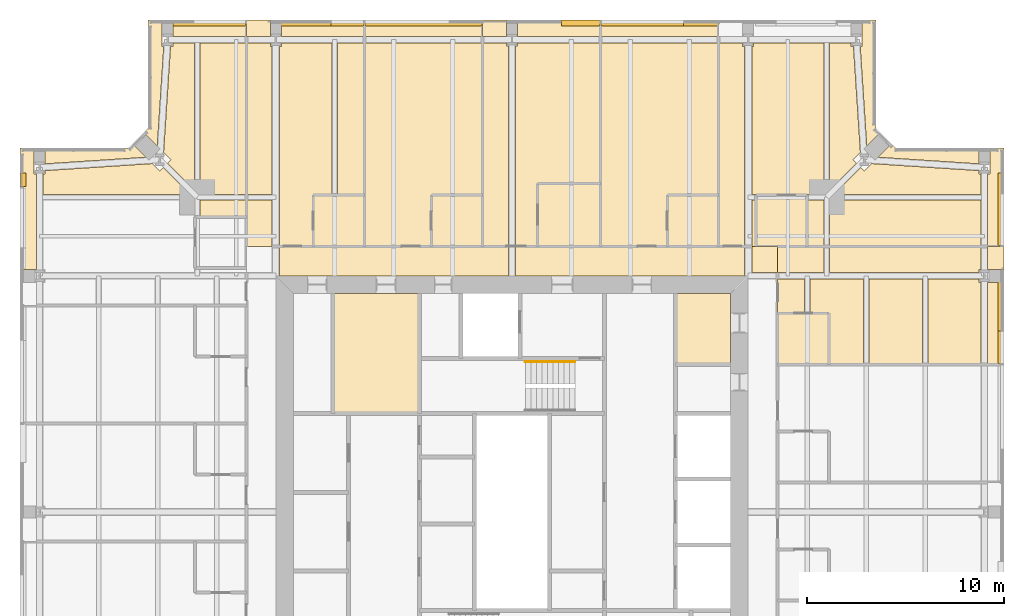
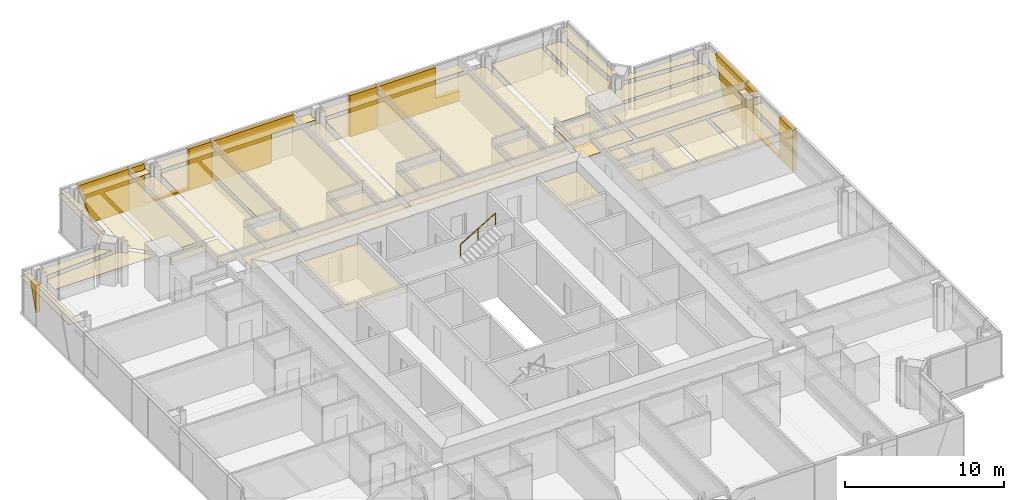
# One storey, part 19 of 20: 59 coverings, 1 railing.
"""IFC4 building model written with IfcOpenShell, lengths in metres."""

from ifc_helpers import new_model, si_unit, direction, frame, origin, origin_2d, place, context, subcontext, project, spatial, polyline, circle, outline, extrude, material, layer, layer_set, type_object, element, save


model = new_model("IFC4")

# Units and contexts
model_context = context("Model", 3, precision=1e-05, world=origin(), true_north=direction((0.0, 1.0)))
body_context = subcontext(model_context, "Body", "Model", "MODEL_VIEW")
ifc_project = project(units=[si_unit("LENGTHUNIT", "METRE"), si_unit("AREAUNIT", "SQUARE_METRE"), si_unit("VOLUMEUNIT", "CUBIC_METRE"), si_unit("PLANEANGLEUNIT", "RADIAN"), si_unit("MASSUNIT", "GRAM", prefix="KILO")], contexts=[model_context])

# Site, building, storey
site_placement = place(None, origin())
site = spatial("IfcSite", under=ifc_project, at=site_placement, CompositionType="ELEMENT")
building_placement = place(site_placement, origin())
building = spatial("IfcBuilding", under=site, at=building_placement, Name="Fenwick Lantern Interchange", CompositionType="ELEMENT")
storey_placement = place(building_placement, frame((0.0, 0.0, 245.800048828125)))
storey = spatial("IfcBuildingStorey", under=building, at=storey_placement, Name="L57", CompositionType="ELEMENT", Elevation=245.800048828125)

# Coverings
ifc_material_1 = material(Name="Granite cladding, warm grey flamed finish, on aluminium carrier frame", Category="masonry")
ifc_layer_1 = layer(ifc_material_1, 0.300048828125)
ifc_layer_set_1 = layer_set([ifc_layer_1], Name="BRACE CASING PANEL 300")
covering_type_1 = type_object("IfcCoveringType", Name="BRACE CASING PANEL 300", PredefinedType="CLADDING", material=ifc_layer_set_1)
covering_1_placement = place(storey_placement, frame((49.89990234375, 6.60009765625, 0.0), z_axis=(0.0, 0.0, 1.0), x_axis=(0.0, 1.0, 0.0)))
element("IfcCovering", 1, at=covering_1_placement, inside=storey, type_object=covering_type_1, Name="Brace casing 05 bay 05a", PredefinedType="CLADDING", context=body_context, shape_type="SweptSolid", body=[
    extrude(outline(polyline([(25.929931640625, 0.0), (31.8701171875, 0.0), (31.8701171875, 3.14990234375), (30.81494140625, 3.14990234375), (30.81494140625, 0.15966796875), (27.5849609375, 0.15966796875), (27.5849609375, 3.14990234375), (25.929931640625, 3.14990234375), (25.929931640625, 0.0)])), frame((0.0, 0.2099609375, 0.0), z_axis=(0.0, -1.0, 0.0), x_axis=(1.0, 0.0, 0.0)), (0.0, 0.0, 1.0), 0.300048828125),
])
covering_2_placement = place(storey_placement, frame((49.89990234375, 6.60009765625, 0.0), z_axis=(0.0, 0.0, 1.0), x_axis=(0.0, 1.0, 0.0)))
element("IfcCovering", 2, at=covering_2_placement, inside=storey, type_object=covering_type_1, Name="Brace casing 05 bay 06a", PredefinedType="CLADDING", context=body_context, shape_type="SweptSolid", body=[
    extrude(outline(polyline([(31.929931640625, 0.0), (34.560791015625, 0.0), (35.624267578125, 3.14990234375), (31.929931640625, 3.14990234375), (31.929931640625, 0.0)])), frame((0.0, 0.2099609375, 0.0), z_axis=(0.0, -1.0, 0.0), x_axis=(1.0, 0.0, 0.0)), (0.0, 0.0, 1.0), 0.300048828125),
])
covering_3_placement = place(storey_placement, frame((43.39990234375, 49.89990234375, 0.0), z_axis=(0.0, 0.0, 1.0), x_axis=(-1.0, 0.0, 0.0)))
element("IfcCovering", 3, at=covering_3_placement, inside=storey, type_object=covering_type_1, Name="Brace casing 09 bay 02a", PredefinedType="CLADDING", context=body_context, shape_type="SweptSolid", body=[
    extrude(outline(polyline([(7.929931640625, 0.0), (13.8701171875, 0.0), (13.8701171875, 3.14990234375), (9.675048828125, 3.14990234375), (9.675048828125, 0.7841796875), (7.929931640625, 0.7841796875), (7.929931640625, 0.0)])), frame((0.0, 0.2099609375, 0.0), z_axis=(0.0, -1.0, 0.0), x_axis=(1.0, 0.0, 0.0)), (0.0, 0.0, 1.0), 0.300048828125),
])
covering_4_placement = place(storey_placement, frame((43.39990234375, 49.89990234375, 0.0), z_axis=(0.0, 0.0, 1.0), x_axis=(-1.0, 0.0, 0.0)))
element("IfcCovering", 4, at=covering_4_placement, inside=storey, type_object=covering_type_1, Name="Brace casing 09 bay 03a", PredefinedType="CLADDING", context=body_context, shape_type="SweptSolid", body=[
    extrude(outline(polyline([(13.929931640625, 0.0), (15.889892578125, 0.0), (15.889892578125, 3.14990234375), (13.929931640625, 3.14990234375), (13.929931640625, 0.0)])), frame((0.0, 0.2099609375, 0.0), z_axis=(0.0, -1.0, 0.0), x_axis=(1.0, 0.0, 0.0)), (0.0, 0.0, 1.0), 0.300048828125),
])
covering_5_placement = place(storey_placement, frame((43.39990234375, 49.89990234375, 0.0), z_axis=(0.0, 0.0, 1.0), x_axis=(-1.0, 0.0, 0.0)))
element("IfcCovering", 5, at=covering_5_placement, inside=storey, type_object=covering_type_1, Name="Brace casing 09 bay 04a", PredefinedType="CLADDING", context=body_context, shape_type="SweptSolid", body=[
    extrude(outline(polyline([(21.580078125, 0.0), (25.8701171875, 0.0), (25.8701171875, 3.14990234375), (19.929931640625, 3.14990234375), (19.929931640625, 2.24169921875), (21.580078125, 2.24169921875), (21.580078125, 0.0)])), frame((0.0, 0.2099609375, 0.0), z_axis=(0.0, -1.0, 0.0), x_axis=(1.0, 0.0, 0.0)), (0.0, 0.0, 1.0), 0.300048828125),
])
covering_6_placement = place(storey_placement, frame((43.39990234375, 49.89990234375, 0.0), z_axis=(0.0, 0.0, 1.0), x_axis=(-1.0, 0.0, 0.0)))
element("IfcCovering", 6, at=covering_6_placement, inside=storey, type_object=covering_type_1, Name="Brace casing 09 bay 05a", PredefinedType="CLADDING", context=body_context, shape_type="SweptSolid", body=[
    extrude(outline(polyline([(25.929931640625, 0.0), (31.8701171875, 0.0), (31.8701171875, 3.14990234375), (30.81494140625, 3.14990234375), (30.81494140625, 0.15966796875), (27.5849609375, 0.15966796875), (27.5849609375, 3.14990234375), (25.929931640625, 3.14990234375), (25.929931640625, 0.0)])), frame((0.0, 0.2099609375, 0.0), z_axis=(0.0, -1.0, 0.0), x_axis=(1.0, 0.0, 0.0)), (0.0, 0.0, 1.0), 0.300048828125),
])
covering_7_placement = place(storey_placement, frame((43.39990234375, 49.89990234375, 0.0), z_axis=(0.0, 0.0, 1.0), x_axis=(-1.0, 0.0, 0.0)))
element("IfcCovering", 7, at=covering_7_placement, inside=storey, type_object=covering_type_1, Name="Brace casing 09 bay 06a", PredefinedType="CLADDING", context=body_context, shape_type="SweptSolid", body=[
    extrude(outline(polyline([(31.929931640625, 0.0), (34.560791015625, 0.0), (35.624267578125, 3.14990234375), (31.929931640625, 3.14990234375), (31.929931640625, 0.0)])), frame((0.0, 0.2099609375, 0.0), z_axis=(0.0, -1.0, 0.0), x_axis=(1.0, 0.0, 0.0)), (0.0, 0.0, 1.0), 0.300048828125),
])
covering_8_placement = place(storey_placement, frame((0.10009765625, 43.39990234375, 1.093505859375), z_axis=(0.0, 0.0, 1.0), x_axis=(0.0, -1.0, 0.0)))
element("IfcCovering", 8, at=covering_8_placement, inside=storey, type_object=covering_type_1, Name="Brace casing 13 bay 00a", PredefinedType="CLADDING", context=body_context, shape_type="SweptSolid", body=[
    extrude(outline(polyline([(1.8701171875, 0.0), (1.8701171875, 2.056396484375), (1.17578125, 2.056396484375), (1.8701171875, 0.0)])), frame((0.0, 0.2099609375, 0.0), z_axis=(0.0, -1.0, 0.0), x_axis=(1.0, 0.0, 0.0)), (0.0, 0.0, 1.0), 0.300048828125),
])

# Railing
ifc_material_2 = material(Name="Stainless steel handrail", Category="steel")
railing_type = type_object("IfcRailingType", Name="HANDRAIL 900", PredefinedType="HANDRAIL", material=ifc_material_2)
railing_placement = place(storey_placement, frame((25.679931640625, 32.6259765625, 1.869873046875)))
element("IfcRailing", 9, at=railing_placement, inside=storey, type_object=railing_type, Name="L57/STAIR/ST2/HR2", PredefinedType="HANDRAIL", context=body_context, shape_type="SweptSolid", body=[
    extrude(circle(Radius=0.02392578125, at=origin_2d()), frame((0.0, 0.0, 0.8759765625), z_axis=(0.85478489116, 0.0, 0.518982456201), x_axis=(0.0, 1.0, 0.0)), (0.0, 0.0, 1.0), 2.9482421875),
    extrude(circle(Radius=0.02099609375, at=origin_2d()), origin(), (0.0, 0.0, 1.0), 0.851806640625),
    extrude(circle(Radius=0.02099609375, at=origin_2d()), frame((1.260009765625, 0.0, 0.76513671875)), (0.0, 0.0, 1.0), 0.851806640625),
    extrude(circle(Radius=0.02099609375, at=origin_2d()), frame((2.52001953125, 0.0, 1.530029296875)), (0.0, 0.0, 1.0), 0.851806640625),
])

# Coverings
ifc_material_3 = material(Name="Moisture resistant gypsum board on suspended frame, painted")
ifc_layer_2 = layer(ifc_material_3, 0.014892578125)
ifc_layer_set_2 = layer_set([ifc_layer_2], Name="MOISTURE RESISTANT CEILING 15")
covering_type_2 = type_object("IfcCoveringType", Name="MOISTURE RESISTANT CEILING 15", PredefinedType="CEILING", material=ifc_layer_set_2)
covering_9_placement = place(storey_placement, frame((0.0, 0.0, 2.599853515625)))
element("IfcCovering", 10, at=covering_9_placement, inside=storey, type_object=covering_type_2, Name="Women's WC ceiling", PredefinedType="CEILING", context=body_context, shape_type="SweptSolid", body=[
    extrude(outline(polyline([(20.300048828125, 36.10009765625), (15.89990234375, 36.10009765625), (15.89990234375, 30.0), (20.300048828125, 30.0), (20.300048828125, 36.10009765625)])), origin(), (0.0, 0.0, 1.0), 0.01513671875),
])
covering_10_placement = place(storey_placement, frame((0.0, 0.0, 2.599853515625)))
element("IfcCovering", 11, at=covering_10_placement, inside=storey, type_object=covering_type_2, Name="Accessible WC and shower ceiling", PredefinedType="CEILING", context=body_context, shape_type="SweptSolid", body=[
    extrude(outline(polyline([(36.10009765625, 36.10009765625), (33.300048828125, 36.10009765625), (33.300048828125, 32.5), (36.10009765625, 32.5), (36.10009765625, 36.10009765625)])), origin(), (0.0, 0.0, 1.0), 0.01513671875),
])
covering_11_placement = place(storey_placement, frame((0.0, 0.0, 2.39990234375)))
element("IfcCovering", 12, at=covering_11_placement, inside=storey, type_object=covering_type_2, Name="En-suite 5710 ceiling", PredefinedType="CEILING", context=body_context, shape_type="SweptSolid", body=[
    extrude(outline(polyline([(41.10009765625, 32.5), (41.10009765625, 35.10009765625), (38.5, 35.10009765625), (38.5, 32.5), (41.10009765625, 32.5)])), origin(), (0.0, 0.0, 1.0), 0.01513671875),
])
covering_12_placement = place(storey_placement, frame((0.0, 0.0, 2.39990234375)))
element("IfcCovering", 13, at=covering_12_placement, inside=storey, type_object=covering_type_2, Name="En-suite 5711 ceiling", PredefinedType="CEILING", context=body_context, shape_type="SweptSolid", body=[
    extrude(outline(polyline([(40.0, 41.10009765625), (37.39990234375, 41.10009765625), (37.39990234375, 38.5), (40.0, 38.5), (40.0, 41.10009765625)])), origin(), (0.0, 0.0, 1.0), 0.01513671875),
])
covering_13_placement = place(storey_placement, frame((0.0, 0.0, 2.39990234375)))
element("IfcCovering", 14, at=covering_13_placement, inside=storey, type_object=covering_type_2, Name="En-suite 5712 ceiling", PredefinedType="CEILING", context=body_context, shape_type="SweptSolid", body=[
    extrude(outline(polyline([(35.5, 41.10009765625), (32.89990234375, 41.10009765625), (32.89990234375, 38.5), (35.5, 38.5), (35.5, 41.10009765625)])), origin(), (0.0, 0.0, 1.0), 0.01513671875),
])
covering_14_placement = place(storey_placement, frame((0.0, 0.0, 2.39990234375)))
element("IfcCovering", 15, at=covering_14_placement, inside=storey, type_object=covering_type_2, Name="En-suite 5713 ceiling", PredefinedType="CEILING", context=body_context, shape_type="SweptSolid", body=[
    extrude(outline(polyline([(29.5, 41.699951171875), (26.300048828125, 41.699951171875), (26.300048828125, 38.5), (29.5, 38.5), (29.5, 41.699951171875)])), origin(), (0.0, 0.0, 1.0), 0.01513671875),
])
covering_15_placement = place(storey_placement, frame((0.0, 0.0, 2.39990234375)))
element("IfcCovering", 16, at=covering_15_placement, inside=storey, type_object=covering_type_2, Name="En-suite 5714 ceiling", PredefinedType="CEILING", context=body_context, shape_type="SweptSolid", body=[
    extrude(outline(polyline([(23.5, 41.10009765625), (20.89990234375, 41.10009765625), (20.89990234375, 38.5), (23.5, 38.5), (23.5, 41.10009765625)])), origin(), (0.0, 0.0, 1.0), 0.01513671875),
])
covering_16_placement = place(storey_placement, frame((0.0, 0.0, 2.39990234375)))
element("IfcCovering", 17, at=covering_16_placement, inside=storey, type_object=covering_type_2, Name="En-suite 5715 ceiling", PredefinedType="CEILING", context=body_context, shape_type="SweptSolid", body=[
    extrude(outline(polyline([(17.5, 41.10009765625), (14.89990234375, 41.10009765625), (14.89990234375, 38.5), (17.5, 38.5), (17.5, 41.10009765625)])), origin(), (0.0, 0.0, 1.0), 0.01513671875),
])
ifc_material_4 = material(Name="Gypsum plasterboard on suspended frame, painted")
ifc_layer_3 = layer(ifc_material_4, 0.014892578125)
ifc_layer_set_3 = layer_set([ifc_layer_3], Name="PLASTERBOARD CEILING 15")
covering_type_3 = type_object("IfcCoveringType", Name="PLASTERBOARD CEILING 15", PredefinedType="CEILING", material=ifc_layer_set_3)
covering_17_placement = place(storey_placement, frame((0.0, 0.0, 2.57275390625)))
element("IfcCovering", 18, at=covering_17_placement, inside=storey, type_object=covering_type_3, Name="Corridor ceiling", PredefinedType="CEILING", context=body_context, shape_type="SweptSolid", body=[
    extrude(outline(polyline([(24.816162109375, 38.5), (13.183837890625, 38.5), (13.183837890625, 37.0), (24.816162109375, 37.0), (24.816162109375, 38.5)])), origin(), (0.0, 0.0, 1.0), 0.01513671875),
])
covering_18_placement = place(storey_placement, frame((0.0, 0.0, 2.57275390625)))
element("IfcCovering", 19, at=covering_18_placement, inside=storey, type_object=covering_type_3, Name="Corridor ceiling", PredefinedType="CEILING", context=body_context, shape_type="SweptSolid", body=[
    extrude(outline(polyline([(36.816162109375, 38.5), (25.183837890625, 38.5), (25.183837890625, 37.0), (36.816162109375, 37.0), (36.816162109375, 38.5)])), origin(), (0.0, 0.0, 1.0), 0.01513671875),
])
covering_19_placement = place(storey_placement, frame((0.0, 0.0, 2.57275390625)))
element("IfcCovering", 20, at=covering_19_placement, inside=storey, type_object=covering_type_3, Name="Corridor ceiling", PredefinedType="CEILING", context=body_context, shape_type="SweptSolid", body=[
    extrude(outline(polyline([(38.5, 38.5), (37.183837890625, 38.5), (37.183837890625, 37.166015625), (38.5, 37.166015625), (38.5, 38.5)])), origin(), (0.0, 0.0, 1.0), 0.01513671875),
])
covering_20_placement = place(storey_placement, frame((0.0, 0.0, 2.699951171875)))
element("IfcCovering", 21, at=covering_20_placement, inside=storey, type_object=covering_type_3, Name="Guest room 5710 ceiling", PredefinedType="CEILING", context=body_context, shape_type="SweptSolid", body=[
    extrude(outline(polyline([(43.134521484375, 32.5), (45.865478515625, 32.5), (45.865478515625, 36.833984375), (43.134521484375, 36.833984375), (43.134521484375, 32.5)])), origin(), (0.0, 0.0, 1.0), 0.014892578125),
])
covering_21_placement = place(storey_placement, frame((0.0, 0.0, 2.699951171875)))
element("IfcCovering", 22, at=covering_21_placement, inside=storey, type_object=covering_type_3, Name="Guest room 5710 ceiling", PredefinedType="CEILING", context=body_context, shape_type="SweptSolid", body=[
    extrude(outline(polyline([(48.72265625, 36.66552734375), (48.72265625, 36.833984375), (46.134521484375, 36.833984375), (46.134521484375, 32.5), (48.82763671875, 32.5), (48.82763671875, 36.66552734375), (48.72265625, 36.66552734375)])), origin(), (0.0, 0.0, 1.0), 0.014892578125),
])
covering_22_placement = place(storey_placement, frame((0.0, 0.0, 2.699951171875)))
element("IfcCovering", 23, at=covering_22_placement, inside=storey, type_object=covering_type_3, Name="Guest room 5710 ceiling", PredefinedType="CEILING", context=body_context, shape_type="SweptSolid", body=[
    extrude(outline(polyline([(48.72265625, 37.33447265625), (48.82763671875, 37.33447265625), (48.82763671875, 38.5), (41.134521484375, 38.5), (41.134521484375, 37.166015625), (48.72265625, 37.166015625), (48.72265625, 37.33447265625)])), origin(), (0.0, 0.0, 1.0), 0.014892578125),
])
covering_23_placement = place(storey_placement, frame((0.0, 0.0, 2.699951171875)))
element("IfcCovering", 24, at=covering_23_placement, inside=storey, type_object=covering_type_3, Name="Guest room 5710 ceiling", PredefinedType="CEILING", context=body_context, shape_type="SweptSolid", body=[
    extrude(outline(polyline([(41.10009765625, 32.5), (42.865478515625, 32.5), (42.865478515625, 36.833984375), (40.134521484375, 36.833984375), (40.134521484375, 35.10009765625), (41.10009765625, 35.10009765625), (41.10009765625, 32.5)])), origin(), (0.0, 0.0, 1.0), 0.014892578125),
])
covering_24_placement = place(storey_placement, frame((0.0, 0.0, 2.699951171875)))
element("IfcCovering", 25, at=covering_24_placement, inside=storey, type_object=covering_type_3, Name="Guest room 5710 ceiling", PredefinedType="CEILING", context=body_context, shape_type="SweptSolid", body=[
    extrude(outline(polyline([(50.0, 36.66552734375), (49.17236328125, 36.66552734375), (49.17236328125, 32.5), (50.0, 32.5), (50.0, 36.66552734375)])), origin(), (0.0, 0.0, 1.0), 0.014892578125),
])
covering_25_placement = place(storey_placement, frame((0.0, 0.0, 2.699951171875)))
element("IfcCovering", 26, at=covering_25_placement, inside=storey, type_object=covering_type_3, Name="Guest room 5710 ceiling", PredefinedType="CEILING", context=body_context, shape_type="SweptSolid", body=[
    extrude(outline(polyline([(38.5, 38.5), (38.5, 37.166015625), (40.865478515625, 37.166015625), (40.865478515625, 38.5), (38.5, 38.5)])), origin(), (0.0, 0.0, 1.0), 0.014892578125),
])
covering_26_placement = place(storey_placement, frame((0.0, 0.0, 2.699951171875)))
element("IfcCovering", 27, at=covering_26_placement, inside=storey, type_object=covering_type_3, Name="Guest room 5710 ceiling", PredefinedType="CEILING", context=body_context, shape_type="SweptSolid", body=[
    extrude(outline(polyline([(38.5, 35.10009765625), (39.865478515625, 35.10009765625), (39.865478515625, 36.833984375), (38.5, 36.833984375), (38.5, 35.10009765625)])), origin(), (0.0, 0.0, 1.0), 0.014892578125),
])
covering_27_placement = place(storey_placement, frame((0.0, 0.0, 2.699951171875)))
element("IfcCovering", 28, at=covering_27_placement, inside=storey, type_object=covering_type_3, Name="Guest room 5710 ceiling", PredefinedType="CEILING", context=body_context, shape_type="SweptSolid", body=[
    extrude(outline(polyline([(50.0, 37.33447265625), (50.0, 38.5), (49.17236328125, 38.5), (49.17236328125, 37.33447265625), (50.0, 37.33447265625)])), origin(), (0.0, 0.0, 1.0), 0.014892578125),
])
covering_28_placement = place(storey_placement, frame((0.0, 0.0, 2.699951171875)))
element("IfcCovering", 29, at=covering_28_placement, inside=storey, type_object=covering_type_3, Name="Guest suite 5711 ceiling", PredefinedType="CEILING", context=body_context, shape_type="SweptSolid", body=[
    extrude(outline(polyline([(37.27734375, 48.66552734375), (37.183837890625, 48.66552734375), (37.183837890625, 41.134521484375), (40.865478515625, 41.134521484375), (40.865478515625, 48.82763671875), (37.27734375, 48.82763671875), (37.27734375, 48.66552734375)])), origin(), (0.0, 0.0, 1.0), 0.014892578125),
])
covering_29_placement = place(storey_placement, frame((0.0, 0.0, 2.699951171875)))
element("IfcCovering", 30, at=covering_29_placement, inside=storey, type_object=covering_type_3, Name="Guest suite 5711 ceiling", PredefinedType="CEILING", context=body_context, shape_type="SweptSolid", body=[
    extrude(outline(polyline([(41.134521484375, 38.5), (48.82763671875, 38.5), (48.82763671875, 40.865478515625), (41.134521484375, 40.865478515625), (41.134521484375, 38.5)])), origin(), (0.0, 0.0, 1.0), 0.014892578125),
])
covering_30_placement = place(storey_placement, frame((0.0, 0.0, 2.699951171875)))
element("IfcCovering", 31, at=covering_30_placement, inside=storey, type_object=covering_type_3, Name="Guest suite 5711 ceiling", PredefinedType="CEILING", context=body_context, shape_type="SweptSolid", body=[
    extrude(outline(polyline([(35.5, 38.5), (36.816162109375, 38.5), (36.816162109375, 48.66552734375), (36.72265625, 48.66552734375), (36.72265625, 48.82763671875), (35.5, 48.82763671875), (35.5, 38.5)])), origin(), (0.0, 0.0, 1.0), 0.014892578125),
])
covering_31_placement = place(storey_placement, frame((0.0, 0.0, 2.699951171875)))
element("IfcCovering", 32, at=covering_31_placement, inside=storey, type_object=covering_type_3, Name="Guest suite 5711 ceiling", PredefinedType="CEILING", context=body_context, shape_type="SweptSolid", body=[
    extrude(outline(polyline([(42.89990234375, 42.3173828125), (42.71728515625, 42.500244140625), (41.351318359375, 41.134521484375), (48.82763671875, 41.134521484375), (48.82763671875, 42.16552734375), (48.72265625, 42.16552734375), (48.72265625, 42.345458984375), (43.284423828125, 42.701904296875), (42.89990234375, 42.3173828125)])), origin(), (0.0, 0.0, 1.0), 0.014892578125),
])
covering_32_placement = place(storey_placement, frame((0.0, 0.0, 2.699951171875)))
element("IfcCovering", 33, at=covering_32_placement, inside=storey, type_object=covering_type_3, Name="Guest suite 5711 ceiling", PredefinedType="CEILING", context=body_context, shape_type="SweptSolid", body=[
    extrude(outline(polyline([(42.22265625, 48.66552734375), (42.22265625, 48.82763671875), (41.134521484375, 48.82763671875), (41.134521484375, 41.351318359375), (42.500244140625, 42.71728515625), (42.3173828125, 42.89990234375), (42.701904296875, 43.284423828125), (42.34912109375, 48.66552734375), (42.22265625, 48.66552734375)])), origin(), (0.0, 0.0, 1.0), 0.014892578125),
])
covering_33_placement = place(storey_placement, frame((0.0, 0.0, 2.699951171875)))
element("IfcCovering", 34, at=covering_33_placement, inside=storey, type_object=covering_type_3, Name="Guest suite 5711 ceiling", PredefinedType="CEILING", context=body_context, shape_type="SweptSolid", body=[
    extrude(outline(polyline([(42.77734375, 48.66552734375), (42.69482421875, 48.66552734375), (43.0263671875, 43.60888671875), (43.708740234375, 44.291259765625), (43.5, 44.5), (43.5, 50.0), (42.77734375, 50.0), (42.77734375, 48.66552734375)])), origin(), (0.0, 0.0, 1.0), 0.014892578125),
])
covering_34_placement = place(storey_placement, frame((0.0, 0.0, 2.699951171875)))
element("IfcCovering", 35, at=covering_34_placement, inside=storey, type_object=covering_type_3, Name="Guest suite 5711 ceiling", PredefinedType="CEILING", context=body_context, shape_type="SweptSolid", body=[
    extrude(outline(polyline([(49.27734375, 43.5), (49.27734375, 42.16552734375), (49.17236328125, 42.16552734375), (49.17236328125, 38.5), (50.0, 38.5), (50.0, 43.5), (49.27734375, 43.5)])), origin(), (0.0, 0.0, 1.0), 0.014892578125),
])
covering_35_placement = place(storey_placement, frame((0.0, 0.0, 2.699951171875)))
element("IfcCovering", 36, at=covering_35_placement, inside=storey, type_object=covering_type_3, Name="Guest suite 5711 ceiling", PredefinedType="CEILING", context=body_context, shape_type="SweptSolid", body=[
    extrude(outline(polyline([(44.291259765625, 43.708740234375), (43.60888671875, 43.0263671875), (48.72265625, 42.69091796875), (48.72265625, 43.5), (44.5, 43.5), (44.291259765625, 43.708740234375)])), origin(), (0.0, 0.0, 1.0), 0.014892578125),
])
covering_36_placement = place(storey_placement, frame((0.0, 0.0, 2.699951171875)))
element("IfcCovering", 37, at=covering_36_placement, inside=storey, type_object=covering_type_3, Name="Guest suite 5711 ceiling", PredefinedType="CEILING", context=body_context, shape_type="SweptSolid", body=[
    extrude(outline(polyline([(40.0, 38.5), (40.865478515625, 38.5), (40.865478515625, 40.865478515625), (40.0, 40.865478515625), (40.0, 38.5)])), origin(), (0.0, 0.0, 1.0), 0.014892578125),
])
covering_37_placement = place(storey_placement, frame((0.0, 0.0, 2.699951171875)))
element("IfcCovering", 38, at=covering_37_placement, inside=storey, type_object=covering_type_3, Name="Guest suite 5711 ceiling", PredefinedType="CEILING", context=body_context, shape_type="SweptSolid", body=[
    extrude(outline(polyline([(37.39990234375, 38.5), (37.39990234375, 40.865478515625), (37.183837890625, 40.865478515625), (37.183837890625, 38.5), (37.39990234375, 38.5)])), origin(), (0.0, 0.0, 1.0), 0.014892578125),
])
covering_38_placement = place(storey_placement, frame((0.0, 0.0, 2.57275390625)))
element("IfcCovering", 39, at=covering_38_placement, inside=storey, type_object=covering_type_3, Name="Guest room 5712 ceiling", PredefinedType="CEILING", context=body_context, shape_type="SweptSolid", body=[
    extrude(outline(polyline([(29.5, 48.82763671875), (29.5, 38.5), (32.89990234375, 38.5), (32.89990234375, 41.10009765625), (35.5, 41.10009765625), (35.5, 48.82763671875), (29.5, 48.82763671875)])), origin(), (0.0, 0.0, 1.0), 0.01513671875),
])
covering_39_placement = place(storey_placement, frame((0.0, 0.0, 2.57275390625)))
element("IfcCovering", 40, at=covering_39_placement, inside=storey, type_object=covering_type_3, Name="Guest room 5712 ceiling", PredefinedType="CEILING", context=body_context, shape_type="SweptSolid", body=[
    extrude(outline(polyline([(29.5, 50.0), (29.5, 49.17236328125), (35.5, 49.17236328125), (35.5, 50.0), (29.5, 50.0)])), origin(), (0.0, 0.0, 1.0), 0.01513671875),
])
covering_40_placement = place(storey_placement, frame((0.0, 0.0, 2.57275390625)))
element("IfcCovering", 41, at=covering_40_placement, inside=storey, type_object=covering_type_3, Name="Guest room 5713 ceiling", PredefinedType="CEILING", context=body_context, shape_type="SweptSolid", body=[
    extrude(outline(polyline([(25.27099609375, 48.6845703125), (25.183837890625, 48.6845703125), (25.183837890625, 38.5), (26.300048828125, 38.5), (26.300048828125, 41.699951171875), (29.5, 41.699951171875), (29.5, 48.82763671875), (25.27099609375, 48.82763671875), (25.27099609375, 48.6845703125)])), origin(), (0.0, 0.0, 1.0), 0.01513671875),
])
covering_41_placement = place(storey_placement, frame((0.0, 0.0, 2.57275390625)))
element("IfcCovering", 42, at=covering_41_placement, inside=storey, type_object=covering_type_3, Name="Guest room 5713 ceiling", PredefinedType="CEILING", context=body_context, shape_type="SweptSolid", body=[
    extrude(outline(polyline([(24.72900390625, 48.6845703125), (24.72900390625, 48.82763671875), (23.5, 48.82763671875), (23.5, 38.5), (24.816162109375, 38.5), (24.816162109375, 48.6845703125), (24.72900390625, 48.6845703125)])), origin(), (0.0, 0.0, 1.0), 0.01513671875),
])
covering_42_placement = place(storey_placement, frame((0.0, 0.0, 2.57275390625)))
element("IfcCovering", 43, at=covering_42_placement, inside=storey, type_object=covering_type_3, Name="Guest room 5713 ceiling", PredefinedType="CEILING", context=body_context, shape_type="SweptSolid", body=[
    extrude(outline(polyline([(25.27099609375, 50.0), (25.27099609375, 49.17236328125), (29.5, 49.17236328125), (29.5, 50.0), (25.27099609375, 50.0)])), origin(), (0.0, 0.0, 1.0), 0.01513671875),
])
covering_43_placement = place(storey_placement, frame((0.0, 0.0, 2.57275390625)))
element("IfcCovering", 44, at=covering_43_placement, inside=storey, type_object=covering_type_3, Name="Guest room 5713 ceiling", PredefinedType="CEILING", context=body_context, shape_type="SweptSolid", body=[
    extrude(outline(polyline([(24.72900390625, 50.0), (23.5, 50.0), (23.5, 49.17236328125), (24.72900390625, 49.17236328125), (24.72900390625, 50.0)])), origin(), (0.0, 0.0, 1.0), 0.01513671875),
])
covering_44_placement = place(storey_placement, frame((0.0, 0.0, 2.57275390625)))
element("IfcCovering", 45, at=covering_44_placement, inside=storey, type_object=covering_type_3, Name="Guest room 5714 ceiling", PredefinedType="CEILING", context=body_context, shape_type="SweptSolid", body=[
    extrude(outline(polyline([(17.5, 48.82763671875), (17.5, 38.5), (20.89990234375, 38.5), (20.89990234375, 41.10009765625), (23.5, 41.10009765625), (23.5, 48.82763671875), (17.5, 48.82763671875)])), origin(), (0.0, 0.0, 1.0), 0.01513671875),
])
covering_45_placement = place(storey_placement, frame((0.0, 0.0, 2.57275390625)))
element("IfcCovering", 46, at=covering_45_placement, inside=storey, type_object=covering_type_3, Name="Guest room 5714 ceiling", PredefinedType="CEILING", context=body_context, shape_type="SweptSolid", body=[
    extrude(outline(polyline([(17.5, 50.0), (17.5, 49.17236328125), (23.5, 49.17236328125), (23.5, 50.0), (17.5, 50.0)])), origin(), (0.0, 0.0, 1.0), 0.01513671875),
])
covering_46_placement = place(storey_placement, frame((0.0, 0.0, 2.699951171875)))
element("IfcCovering", 47, at=covering_46_placement, inside=storey, type_object=covering_type_3, Name="Guest room 5715 ceiling", PredefinedType="CEILING", context=body_context, shape_type="SweptSolid", body=[
    extrude(outline(polyline([(13.27734375, 48.66552734375), (13.183837890625, 48.66552734375), (13.183837890625, 38.5), (14.89990234375, 38.5), (14.89990234375, 41.10009765625), (15.865478515625, 41.10009765625), (15.865478515625, 48.82763671875), (13.27734375, 48.82763671875), (13.27734375, 48.66552734375)])), origin(), (0.0, 0.0, 1.0), 0.014892578125),
])
covering_47_placement = place(storey_placement, frame((0.0, 0.0, 2.699951171875)))
element("IfcCovering", 48, at=covering_47_placement, inside=storey, type_object=covering_type_3, Name="Guest room 5715 ceiling", PredefinedType="CEILING", context=body_context, shape_type="SweptSolid", body=[
    extrude(outline(polyline([(17.5, 41.10009765625), (17.5, 48.82763671875), (16.134521484375, 48.82763671875), (16.134521484375, 41.10009765625), (17.5, 41.10009765625)])), origin(), (0.0, 0.0, 1.0), 0.014892578125),
])
covering_48_placement = place(storey_placement, frame((0.0, 0.0, 2.699951171875)))
element("IfcCovering", 49, at=covering_48_placement, inside=storey, type_object=covering_type_3, Name="Guest room 5715 ceiling", PredefinedType="CEILING", context=body_context, shape_type="SweptSolid", body=[
    extrude(outline(polyline([(12.72265625, 48.66552734375), (12.72265625, 48.82763671875), (11.5, 48.82763671875), (11.5, 41.134521484375), (12.816162109375, 41.134521484375), (12.816162109375, 48.66552734375), (12.72265625, 48.66552734375)])), origin(), (0.0, 0.0, 1.0), 0.014892578125),
])
covering_49_placement = place(storey_placement, frame((0.0, 0.0, 2.699951171875)))
element("IfcCovering", 50, at=covering_49_placement, inside=storey, type_object=covering_type_3, Name="Guest room 5715 ceiling", PredefinedType="CEILING", context=body_context, shape_type="SweptSolid", body=[
    extrude(outline(polyline([(13.27734375, 50.0), (13.27734375, 49.17236328125), (17.5, 49.17236328125), (17.5, 50.0), (13.27734375, 50.0)])), origin(), (0.0, 0.0, 1.0), 0.014892578125),
])
covering_50_placement = place(storey_placement, frame((0.0, 0.0, 2.699951171875)))
element("IfcCovering", 51, at=covering_50_placement, inside=storey, type_object=covering_type_3, Name="Guest room 5715 ceiling", PredefinedType="CEILING", context=body_context, shape_type="SweptSolid", body=[
    extrude(outline(polyline([(11.5, 38.5), (12.816162109375, 38.5), (12.816162109375, 40.865478515625), (11.5, 40.865478515625), (11.5, 38.5)])), origin(), (0.0, 0.0, 1.0), 0.014892578125),
])
covering_51_placement = place(storey_placement, frame((0.0, 0.0, 2.699951171875)))
element("IfcCovering", 52, at=covering_51_placement, inside=storey, type_object=covering_type_3, Name="Guest room 5715 ceiling", PredefinedType="CEILING", context=body_context, shape_type="SweptSolid", body=[
    extrude(outline(polyline([(12.72265625, 50.0), (11.5, 50.0), (11.5, 49.17236328125), (12.72265625, 49.17236328125), (12.72265625, 50.0)])), origin(), (0.0, 0.0, 1.0), 0.014892578125),
])
covering_52_placement = place(storey_placement, frame((0.0, 0.0, 2.699951171875)))
element("IfcCovering", 53, at=covering_52_placement, inside=storey, type_object=covering_type_3, Name="Guest suite 5716 ceiling", PredefinedType="CEILING", context=body_context, shape_type="SweptSolid", body=[
    extrude(outline(polyline([(11.5, 41.134521484375), (11.5, 48.82763671875), (9.134521484375, 48.82763671875), (9.134521484375, 41.134521484375), (11.5, 41.134521484375)])), origin(), (0.0, 0.0, 1.0), 0.014892578125),
])
covering_53_placement = place(storey_placement, frame((0.0, 0.0, 2.699951171875)))
element("IfcCovering", 54, at=covering_53_placement, inside=storey, type_object=covering_type_3, Name="Guest suite 5716 ceiling", PredefinedType="CEILING", context=body_context, shape_type="SweptSolid", body=[
    extrude(outline(polyline([(1.27734375, 42.16552734375), (1.17236328125, 42.16552734375), (1.17236328125, 41.134521484375), (8.648681640625, 41.134521484375), (7.28271484375, 42.500244140625), (7.10009765625, 42.3173828125), (6.715576171875, 42.701904296875), (1.27734375, 42.345458984375), (1.27734375, 42.16552734375)])), origin(), (0.0, 0.0, 1.0), 0.014892578125),
])
covering_54_placement = place(storey_placement, frame((0.0, 0.0, 2.699951171875)))
element("IfcCovering", 55, at=covering_54_placement, inside=storey, type_object=covering_type_3, Name="Guest suite 5716 ceiling", PredefinedType="CEILING", context=body_context, shape_type="SweptSolid", body=[
    extrude(outline(polyline([(7.77734375, 48.66552734375), (7.65087890625, 48.66552734375), (7.298095703125, 43.284423828125), (7.6826171875, 42.89990234375), (7.499755859375, 42.71728515625), (8.865478515625, 41.351318359375), (8.865478515625, 48.82763671875), (7.77734375, 48.82763671875), (7.77734375, 48.66552734375)])), origin(), (0.0, 0.0, 1.0), 0.014892578125),
])
covering_55_placement = place(storey_placement, frame((0.0, 0.0, 2.699951171875)))
element("IfcCovering", 56, at=covering_55_placement, inside=storey, type_object=covering_type_3, Name="Guest suite 5716 ceiling", PredefinedType="CEILING", context=body_context, shape_type="SweptSolid", body=[
    extrude(outline(polyline([(0.0, 37.33447265625), (0.82763671875, 37.33447265625), (0.82763671875, 42.16552734375), (0.72265625, 42.16552734375), (0.72265625, 43.5), (0.0, 43.5), (0.0, 37.33447265625)])), origin(), (0.0, 0.0, 1.0), 0.014892578125),
])
covering_56_placement = place(storey_placement, frame((0.0, 0.0, 2.699951171875)))
element("IfcCovering", 57, at=covering_56_placement, inside=storey, type_object=covering_type_3, Name="Guest suite 5716 ceiling", PredefinedType="CEILING", context=body_context, shape_type="SweptSolid", body=[
    extrude(outline(polyline([(7.30517578125, 48.66552734375), (7.22265625, 48.66552734375), (7.22265625, 50.0), (6.5, 50.0), (6.5, 44.5), (6.291259765625, 44.291259765625), (6.9736328125, 43.60888671875), (7.30517578125, 48.66552734375)])), origin(), (0.0, 0.0, 1.0), 0.014892578125),
])
covering_57_placement = place(storey_placement, frame((0.0, 0.0, 2.699951171875)))
element("IfcCovering", 58, at=covering_57_placement, inside=storey, type_object=covering_type_3, Name="Guest suite 5716 ceiling", PredefinedType="CEILING", context=body_context, shape_type="SweptSolid", body=[
    extrude(outline(polyline([(1.27734375, 43.5), (1.27734375, 42.69091796875), (6.39111328125, 43.0263671875), (5.708740234375, 43.708740234375), (5.5, 43.5), (1.27734375, 43.5)])), origin(), (0.0, 0.0, 1.0), 0.014892578125),
])
covering_58_placement = place(storey_placement, frame((0.0, 0.0, 2.699951171875)))
element("IfcCovering", 59, at=covering_58_placement, inside=storey, type_object=covering_type_3, Name="Guest suite 5716 ceiling", PredefinedType="CEILING", context=body_context, shape_type="SweptSolid", body=[
    extrude(outline(polyline([(7.77734375, 50.0), (7.77734375, 49.17236328125), (11.5, 49.17236328125), (11.5, 50.0), (7.77734375, 50.0)])), origin(), (0.0, 0.0, 1.0), 0.014892578125),
])
covering_59_placement = place(storey_placement, frame((0.0, 0.0, 2.699951171875)))
element("IfcCovering", 60, at=covering_59_placement, inside=storey, type_object=covering_type_3, Name="Guest suite 5716 ceiling", PredefinedType="CEILING", context=body_context, shape_type="SweptSolid", body=[
    extrude(outline(polyline([(11.5, 40.0), (11.5, 40.865478515625), (9.134521484375, 40.865478515625), (9.134521484375, 40.0), (11.5, 40.0)])), origin(), (0.0, 0.0, 1.0), 0.014892578125),
])

save(model, "model.ifc")
